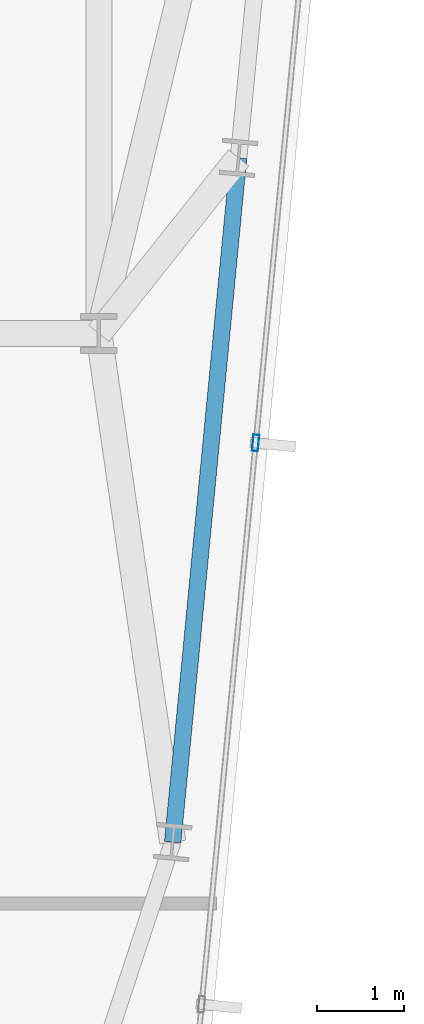
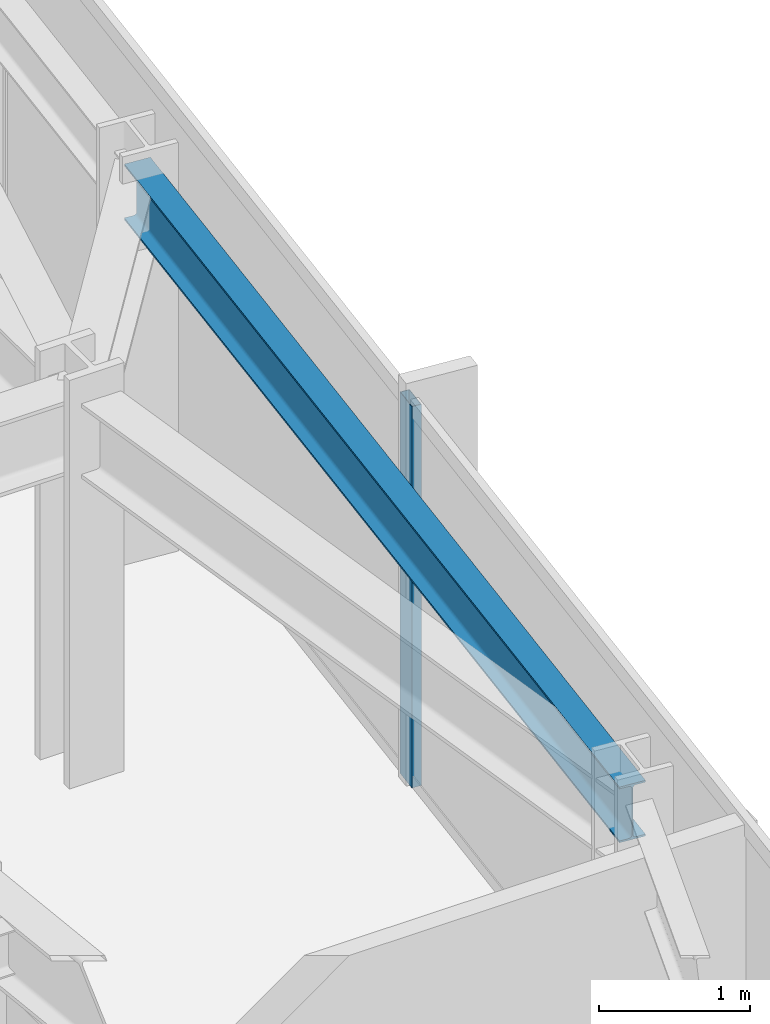
# One storey, part 16 of 36: 1 beam, 1 member, 1 element without a shape of its own.
"""IFC4 building model written with IfcOpenShell, lengths in metres."""

from ifc_helpers import new_model, si_unit, direction, frame, origin, origin_2d, place, context, subcontext, project, spatial, hollow_rectangle, i_section, extrude, material, material_profile, profile_set, type_object, element, aggregate, save


model = new_model("IFC4")

# Units and contexts
model_context = context("Model", 3, precision=1e-05, world=origin(), true_north=direction((0.0, 1.0)))
body_context = subcontext(model_context, "Body", "Model", "MODEL_VIEW")
ifc_project = project(units=[si_unit("LENGTHUNIT", "METRE"), si_unit("AREAUNIT", "SQUARE_METRE"), si_unit("VOLUMEUNIT", "CUBIC_METRE"), si_unit("PLANEANGLEUNIT", "RADIAN"), si_unit("MASSUNIT", "GRAM", prefix="KILO")], contexts=[model_context])

# Site, building, storey
site_placement = place(None, origin())
site = spatial("IfcSite", under=ifc_project, at=site_placement, CompositionType="ELEMENT")
building_placement = place(site_placement, origin())
building = spatial("IfcBuilding", under=site, at=building_placement, Name="Yelkora Congress Tower", CompositionType="ELEMENT")
storey_placement = place(building_placement, frame((0.0, 0.0, 152.300048828125)))
storey = spatial("IfcBuildingStorey", under=building, at=storey_placement, Name="L41", CompositionType="ELEMENT", Elevation=152.300048828125)

# Beam
ifc_material_1 = material(Name="Steel S355J2", Category="steel")
ifc_material_profile_1 = material_profile(ifc_material_1, i_section(OverallWidth=0.18994140625, OverallDepth=0.449951171875, WebThickness=0.009521484375, FlangeThickness=0.0146484375, FilletRadius=0.02099609375, at=origin_2d()), Name="IPE 450")
ifc_profile_set_1 = profile_set([ifc_material_profile_1], Name="Steel S355J2")
beam_type = type_object("IfcBeamType", Name="BM-SPAN-IPE450", PredefinedType="SPANDREL", material=ifc_profile_set_1)
beam_placement = place(storey_placement, frame((58.44921875, 19.353759765625, 2.85498046875), z_axis=(0.095831353931, 0.995397584689, 0.0), x_axis=(-0.995397584689, 0.095831353931, 0.0)))
element("IfcBeam", 1, at=beam_placement, inside=storey, type_object=beam_type, Name="L41 Perimeter Beam 10", PredefinedType="SPANDREL", context=body_context, shape_type="SweptSolid", body=[
    extrude(i_section(OverallWidth=0.18994140625, OverallDepth=0.449951171875, WebThickness=0.009521484375, FlangeThickness=0.0146484375, FilletRadius=0.02099609375, at=origin_2d()), origin(), (0.0, 0.0, 1.0), 7.900146484375),
])

# Curtain wall, member
ifc_material_2 = material(Name="Anodised aluminium and insulated glass", Category="aluminium")
curtain_wall_type = type_object("IfcCurtainWallType", Name="CW-SYS-B3", PredefinedType="NOTDEFINED", material=ifc_material_2)
curtain_wall_placement = place(storey_placement, origin())
curtain_wall = element("IfcCurtainWall", 2, at=curtain_wall_placement, inside=storey, type_object=curtain_wall_type, Name="L41 Unitised Curtain Wall 15", PredefinedType="NOTDEFINED")
ifc_material_3 = material(Name="Anodised aluminium 6063-T6", Category="aluminium")
ifc_material_profile_2 = material_profile(ifc_material_3, hollow_rectangle(XDim=0.070068359375, YDim=0.18994140625, WallThickness=0.00390625, at=origin_2d()), Name="ALU 70x190x4")
ifc_profile_set_2 = profile_set([ifc_material_profile_2], Name="Anodised aluminium 6063-T6")
member_type = type_object("IfcMemberType", Name="MEM-ML-B3", PredefinedType="MULLION", material=ifc_profile_set_2)
member_placement = place(storey_placement, frame((59.4033203125, 23.94140625, 0.0), z_axis=(0.0, 0.0, 1.0), x_axis=(0.995396565076, -0.095841944023, 0.0)))
member = element("IfcMember", 3, at=member_placement, type_object=member_type, Name="CW-B3 mullion 4", PredefinedType="MULLION", context=body_context, shape_type="SweptSolid", body=[
    extrude(hollow_rectangle(XDim=0.070068359375, YDim=0.18994140625, WallThickness=0.00390625, at=origin_2d()), origin(), (0.0, 0.0, 1.0), 3.079833984375),
])
aggregate(curtain_wall, [member])

save(model, "model.ifc")
